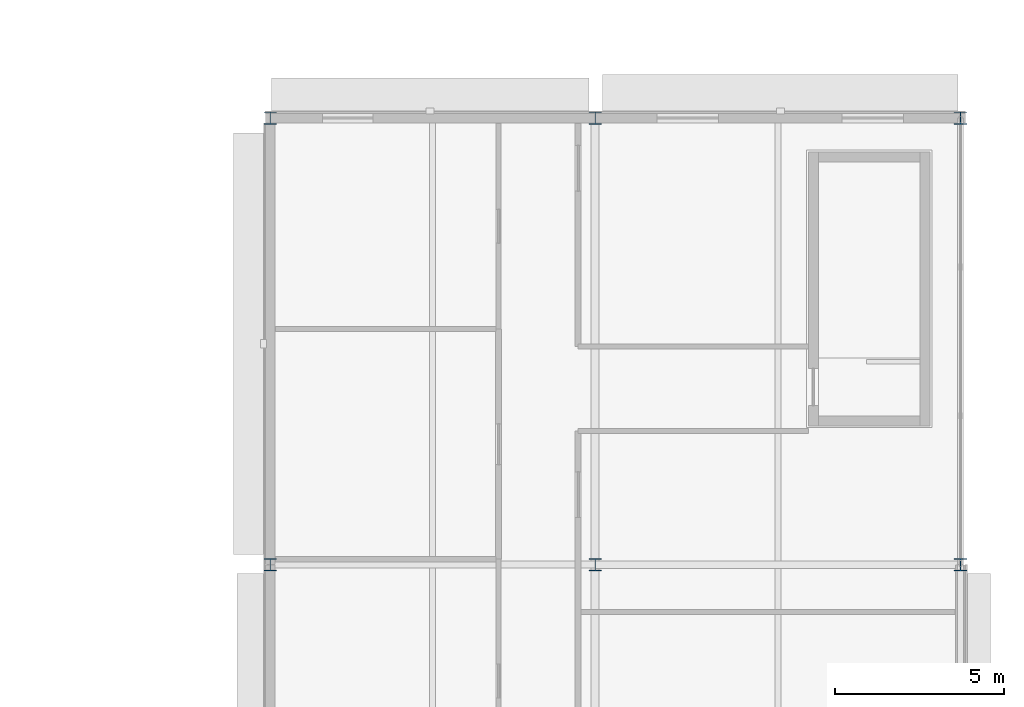
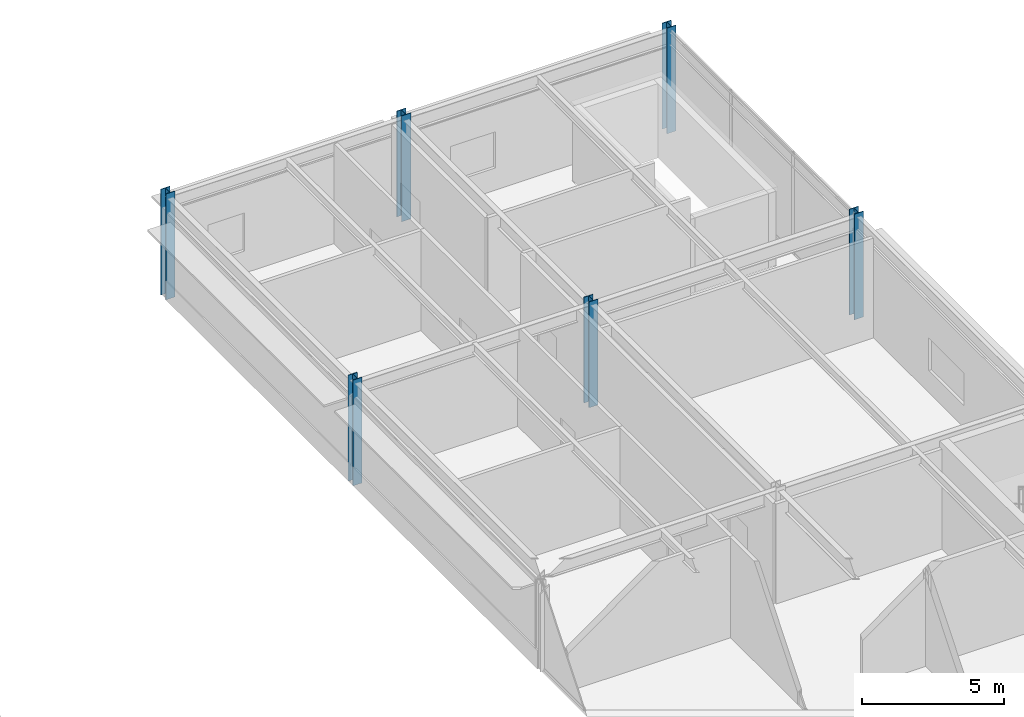
# One storey, part 3 of 50: 6 columns.
"""IFC4 building model written with IfcOpenShell, lengths in metres."""

from ifc_helpers import new_model, si_unit, direction, frame, origin, origin_2d, place, context, subcontext, project, spatial, i_section, extrude, material, material_profile, profile_set, type_object, element, save


model = new_model("IFC4")

# Units and contexts
model_context = context("Model", 3, precision=1e-05, world=origin(), true_north=direction((0.0, 1.0)))
body_context = subcontext(model_context, "Body", "Model", "MODEL_VIEW")
ifc_project = project(units=[si_unit("LENGTHUNIT", "METRE"), si_unit("AREAUNIT", "SQUARE_METRE"), si_unit("VOLUMEUNIT", "CUBIC_METRE"), si_unit("PLANEANGLEUNIT", "RADIAN"), si_unit("MASSUNIT", "GRAM", prefix="KILO")], contexts=[model_context])

# Site, building, storey
site_placement = place(None, origin())
site = spatial("IfcSite", under=ifc_project, at=site_placement, CompositionType="ELEMENT")
building_placement = place(site_placement, origin())
building = spatial("IfcBuilding", under=site, at=building_placement, Name="Almandine Court Research Institute", CompositionType="ELEMENT")
storey_placement = place(building_placement, frame((0.0, 0.0, 23.449951171875)))
storey = spatial("IfcBuildingStorey", under=building, at=storey_placement, Name="L05", CompositionType="ELEMENT", Elevation=23.449951171875)

# Columns
ifc_material = material(Name="Steel ASTM A992 Grade 50", Category="steel")
ifc_material_profile_1 = material_profile(ifc_material, i_section(OverallWidth=0.373046875, OverallDepth=0.367919921875, WebThickness=0.01708984375, FlangeThickness=0.027099609375, at=origin_2d()), Name="W360x179")
ifc_profile_set_1 = profile_set([ifc_material_profile_1], Name="Steel ASTM A992 Grade 50")
column_type_1 = type_object("IfcColumnType", Name="Col-C-W03", PredefinedType="COLUMN", material=ifc_profile_set_1)
for number, where, z_axis, x_axis, name in (
    (1, (153.60009765625, 70.800048828125, 0.0), (0.0, 0.0, 1.0), (1.0, 0.0, 0.0), "L05 V4 Column V4-X2Y7"),
    (2, (153.60009765625, 84.0, 0.0), (0.0, 0.0, 1.0), (1.0, 0.0, 0.0), "L05 V4 Column V4-X2Y8"),
    (3, (163.199951171875, 70.800048828125, 0.0), (0.0, 0.0, 1.0), (1.0, 0.0, 0.0), "L05 V4 Column V4-X3Y7"),
    (4, (163.199951171875, 84.0, 0.0), (0.0, 0.0, 1.0), (1.0, 0.0, 0.0), "L05 V4 Column V4-X3Y8"),
):
    element("IfcColumn", number, at=place(storey_placement, frame(where, z_axis=z_axis, x_axis=x_axis)), inside=storey, type_object=column_type_1, Name=name, PredefinedType="COLUMN", context=body_context, shape_type="SweptSolid", body=[
        extrude(i_section(OverallWidth=0.373046875, OverallDepth=0.367919921875, WebThickness=0.01708984375, FlangeThickness=0.027099609375, at=origin_2d()), origin(), (0.0, 0.0, 1.0), 4.550048828125),
    ])
ifc_material_profile_2 = material_profile(ifc_material, i_section(OverallWidth=0.373046875, OverallDepth=0.367919921875, WebThickness=0.01708984375, FlangeThickness=0.027099609375, at=origin_2d()), Name="W360x179")
ifc_profile_set_2 = profile_set([ifc_material_profile_2], Name="Steel ASTM A992 Grade 50")
column_type_2 = type_object("IfcColumnType", Name="Col-C-W03-E", PredefinedType="COLUMN", material=ifc_profile_set_2)
for number, where, z_axis, x_axis, name in (
    (5, (174.0, 70.800048828125, 0.0), (0.0, 0.0, 1.0), (1.0, 0.0, 0.0), "L05 V4 Column V4-X4Y7"),
    (6, (174.0, 84.0, 0.0), (0.0, 0.0, 1.0), (1.0, 0.0, 0.0), "L05 V4 Column V4-X4Y8"),
):
    element("IfcColumn", number, at=place(storey_placement, frame(where, z_axis=z_axis, x_axis=x_axis)), inside=storey, type_object=column_type_2, Name=name, PredefinedType="COLUMN", context=body_context, shape_type="SweptSolid", body=[
        extrude(i_section(OverallWidth=0.373046875, OverallDepth=0.367919921875, WebThickness=0.01708984375, FlangeThickness=0.027099609375, at=origin_2d()), origin(), (0.0, 0.0, 1.0), 4.550048828125),
    ])

save(model, "model.ifc")
